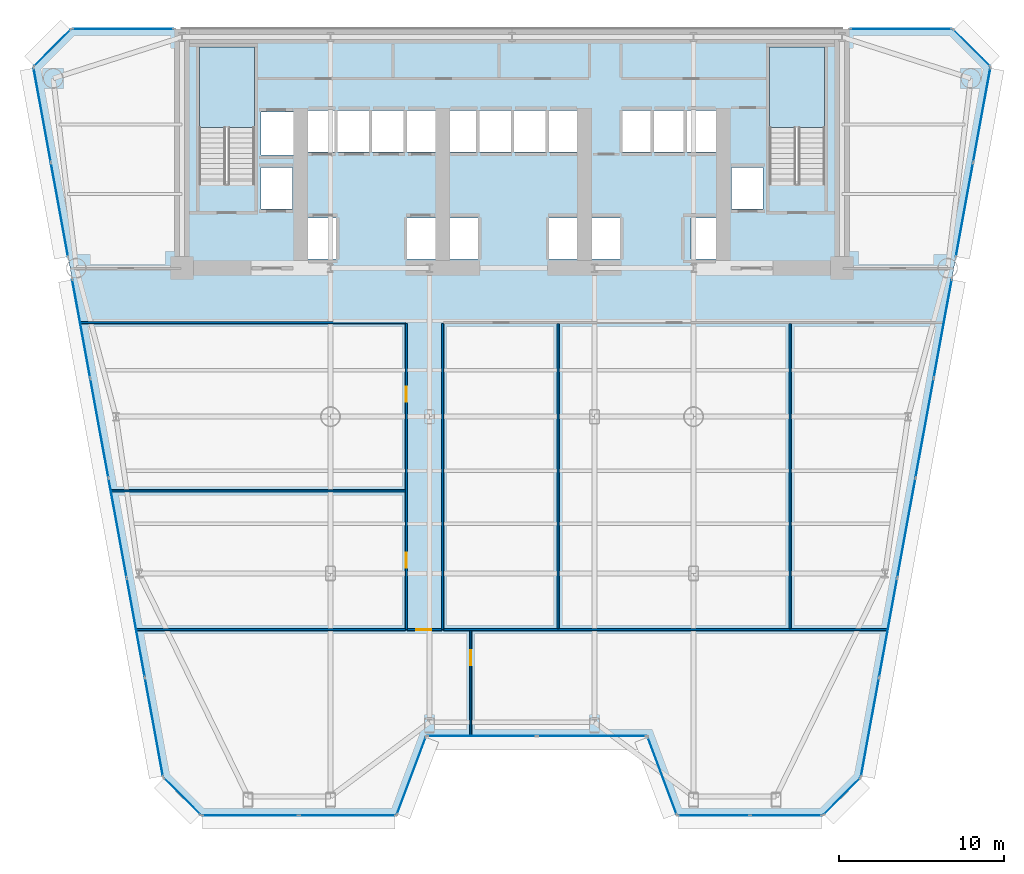
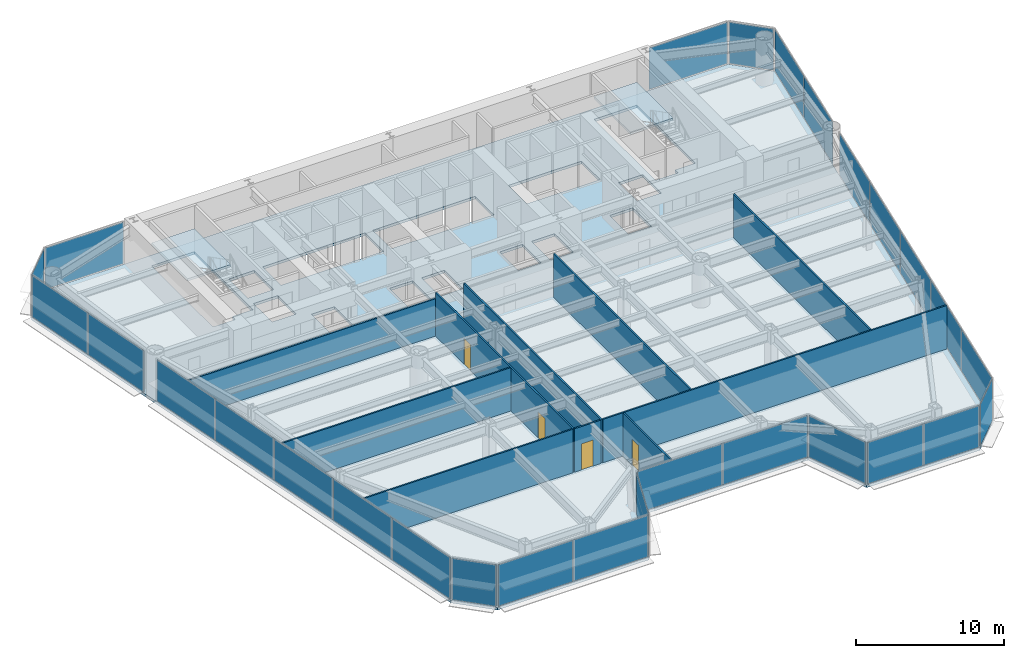
# One storey, part 7 of 14: 28 plates, 10 walls, 4 doors, 3 slabs, 4 openings, 17 elements without a shape of their own.
"""IFC4 building model written with IfcOpenShell, lengths in metres."""

import ifcopenshell
import ifcopenshell.guid

model = None  # the IFC model being written
_history = None  # IfcOwnerHistory: only IFC2X3 demands one
_inside = {}  # id of a spatial element -> (the spatial element, [elements in it])
_under = {}  # id of a project, library or spatial element -> (it, [spatial elements below it])
_declared = {}  # id of a project -> (the project, [libraries it declares])
_typed = {}  # id of a type object -> (the type object, [elements of that type])
_made_of = {}  # id of a material, layer set ... -> (it, [elements and type objects made of it])


def new_model(schema):
    """Start an empty IFC model of exactly this schema.

    Asked for "IFC4X3", IfcOpenShell would pick the latest addendum, in which some entities
    have other attributes; the version numbers below select the first issue.
    IFC2X3 requires an IfcOwnerHistory on every rooted entity: one is made here for all.
    """
    global model, _history
    if schema == "IFC4X3":
        model = ifcopenshell.file(schema_version=(4, 3, 0, 0))
    else:
        model = ifcopenshell.file(schema=schema)
    _inside.clear()
    _under.clear()
    _declared.clear()
    _typed.clear()
    _made_of.clear()
    _history = None
    if model.schema == "IFC2X3":
        org = make("IfcOrganization", Name="unknown")
        user = make(
            "IfcPersonAndOrganization",
            ThePerson=make("IfcPerson", FamilyName="unknown"),
            TheOrganization=org,
        )
        app = make(
            "IfcApplication",
            ApplicationDeveloper=org,
            Version="unknown",
            ApplicationFullName="unknown",
            ApplicationIdentifier="unknown",
        )
        _history = make(
            "IfcOwnerHistory",
            OwningUser=user,
            OwningApplication=app,
            ChangeAction="ADDED",
            CreationDate=0,
        )
    return model


def make(cls, **values):
    """One entity of the class cls with the attributes given. An attribute that is None is left unset."""
    return model.create_entity(
        cls, **{name: value for name, value in values.items() if value is not None}
    )


def rooted(cls, **values):
    """An entity with a GlobalId (a new one), such as an element, a storey or a relation."""
    return make(cls, GlobalId=ifcopenshell.guid.new(), OwnerHistory=_history, **values)


def si_unit(unit_type, name, prefix=None):
    """IfcSIUnit, for example si_unit("LENGTHUNIT", "METRE", prefix="MILLI")."""
    return make("IfcSIUnit", UnitType=unit_type, Prefix=prefix, Name=name)


def assignment(units):
    """IfcUnitAssignment: the units of a project."""
    return None if units is None else make("IfcUnitAssignment", Units=units)


def point(xyz):
    """IfcCartesianPoint."""
    return None if xyz is None else make("IfcCartesianPoint", Coordinates=xyz)


def direction(xyz):
    """IfcDirection."""
    return None if xyz is None else make("IfcDirection", DirectionRatios=xyz)


def frame(location, z_axis=None, x_axis=None):
    """IfcAxis2Placement3D, a coordinate frame: its origin and axes. An axis left out is left unset."""
    return make(
        "IfcAxis2Placement3D",
        Location=point(location),
        Axis=direction(z_axis),
        RefDirection=direction(x_axis),
    )


def frame_2d(location, x_axis=None):
    """IfcAxis2Placement2D, a coordinate frame in the plane: its origin and x axis."""
    return make(
        "IfcAxis2Placement2D", Location=point(location), RefDirection=direction(x_axis)
    )


def origin():
    """The frame at (0, 0, 0) with its axes left unset."""
    return frame((0.0, 0.0, 0.0))


def origin_2d():
    """The frame at (0, 0) in the plane with its x axis left unset."""
    return frame_2d((0.0, 0.0))


def place(relative_to, where):
    """IfcLocalPlacement: puts the frame where relative to a parent placement (None: the world)."""
    return make(
        "IfcLocalPlacement", PlacementRelTo=relative_to, RelativePlacement=where
    )


def context(
    kind, dimensions, precision=None, world=None, true_north=None, identifier=None
):
    """IfcGeometricRepresentationContext, for example the 3D "Model" context."""
    return make(
        "IfcGeometricRepresentationContext",
        ContextIdentifier=identifier,
        ContextType=kind,
        CoordinateSpaceDimension=dimensions,
        Precision=precision,
        WorldCoordinateSystem=world,
        TrueNorth=true_north,
    )


def subcontext(parent, identifier, kind, view, scale=None):
    """IfcGeometricRepresentationSubContext, for example "Body" below "Model"."""
    return make(
        "IfcGeometricRepresentationSubContext",
        ContextIdentifier=identifier,
        ContextType=kind,
        ParentContext=parent,
        TargetScale=scale,
        TargetView=view,
    )


def project(units=None, contexts=None):
    """IfcProject with its units and contexts."""
    return rooted(
        "IfcProject",
        Name="project",
        RepresentationContexts=contexts,
        UnitsInContext=assignment(units),
    )


def spatial(cls, under=None, at=None, **own):
    """A site, building, storey or space (cls), placed at a placement, below another one or the project."""
    s = rooted(cls, ObjectPlacement=at, **own)
    if under is not None:
        _under.setdefault(under.id(), (under, []))[1].append(s)
    return s


def polyline(points):
    """IfcPolyline through the points."""
    return make("IfcPolyline", Points=[point(p) for p in points])


def profile(cls, at=None, kind="AREA", **sizes):
    """A parametric profile (cls). Its sizes go by their IFC names, for example OverallWidth=200.0."""
    return make(cls, ProfileType=kind, Position=at, **sizes)


def rectangle(**sizes):
    """IfcRectangleProfileDef."""
    return profile("IfcRectangleProfileDef", **sizes)


def outline(outer, holes=None, kind="AREA"):
    """IfcArbitraryClosedProfileDef: a profile drawn as a closed curve; with holes, ...WithVoids."""
    if holes is None:
        return make("IfcArbitraryClosedProfileDef", ProfileType=kind, OuterCurve=outer)
    return make(
        "IfcArbitraryProfileDefWithVoids",
        ProfileType=kind,
        OuterCurve=outer,
        InnerCurves=holes,
    )


def extrude(swept, where, along, depth):
    """IfcExtrudedAreaSolid: the profile swept, set in the frame where, extruded along a direction by depth."""
    return make(
        "IfcExtrudedAreaSolid",
        SweptArea=swept,
        Position=where,
        ExtrudedDirection=direction(along),
        Depth=depth,
    )


def shape(context_of_items, identifier, shape_type, items):
    """IfcShapeRepresentation: the items that make up one representation, for example the "Body"."""
    return make(
        "IfcShapeRepresentation",
        ContextOfItems=context_of_items,
        RepresentationIdentifier=identifier,
        RepresentationType=shape_type,
        Items=items,
    )


def source(mapping_origin, context_of_items, identifier, shape_type, items):
    """IfcRepresentationMap: a shape defined once, which mapped items show again and again."""
    return make(
        "IfcRepresentationMap",
        MappingOrigin=mapping_origin,
        MappedRepresentation=shape(context_of_items, identifier, shape_type, items),
    )


def transform(
    local_origin,
    x_axis=None,
    y_axis=None,
    z_axis=None,
    scale=None,
    scale2=None,
    scale3=None,
    uniform=True,
):
    """IfcCartesianTransformationOperator3D, or its non-uniform kind. x_axis, y_axis, z_axis: its Axis1, 2, 3."""
    if uniform:
        return make(
            "IfcCartesianTransformationOperator3D",
            Axis1=direction(x_axis),
            Axis2=direction(y_axis),
            LocalOrigin=point(local_origin),
            Scale=scale,
            Axis3=direction(z_axis),
        )
    return make(
        "IfcCartesianTransformationOperator3DnonUniform",
        Axis1=direction(x_axis),
        Axis2=direction(y_axis),
        LocalOrigin=point(local_origin),
        Scale=scale,
        Axis3=direction(z_axis),
        Scale2=scale2,
        Scale3=scale3,
    )


def mapped(mapping_source, mapping_target):
    """IfcMappedItem: shows the shape of a source again, moved by a transform."""
    return make(
        "IfcMappedItem", MappingSource=mapping_source, MappingTarget=mapping_target
    )


def material(Name=None, Category=None):
    """IfcMaterial."""
    return make("IfcMaterial", Name=Name, Category=Category)


def layer(
    of_material, thickness, ventilated=None, Name=None, Category=None, Priority=None
):
    """IfcMaterialLayer: one layer of a wall or slab, of a material (None: an air gap)."""
    return make(
        "IfcMaterialLayer",
        Material=of_material,
        LayerThickness=thickness,
        IsVentilated=ventilated,
        Name=Name,
        Category=Category,
        Priority=Priority,
    )


def layer_set(layers, Name=None):
    """IfcMaterialLayerSet."""
    return make("IfcMaterialLayerSet", MaterialLayers=layers, LayerSetName=Name)


def made_of(thing, what):
    """Note that an element or type object is made of a material, layer set ...; save() writes the relation."""
    if what is not None:
        _made_of.setdefault(what.id(), (what, []))[1].append(thing)
    return thing


def type_object(cls, material=None, **own):
    """A type object (cls), such as IfcWallType, which elements share."""
    return made_of(rooted(cls, **own), material)


def element(
    cls,
    number,
    at=None,
    inside=None,
    cuts=None,
    type_object=None,
    material=None,
    context=None,
    identifier="Body",
    shape_type=None,
    held_by="IfcProductDefinitionShape",
    body=None,
    shapes=None,
    **own,
):
    """One element of the class cls, such as IfcWall. Its Tag is "e" and its number.

    at: its placement. inside: the storey or other place that contains it. cuts: it is an
    opening in that element (IfcRelVoidsElement). A single representation is given by context,
    identifier, shape_type and body (its items); several are given by shapes. held_by: the class
    of the entity that holds the representations. save() writes the other relations.
    """
    e = rooted(cls, Tag="e%d" % number, ObjectPlacement=at, **own)
    if body is not None:
        shapes = [shape(context, identifier, shape_type, body)]
    if shapes is not None:
        e.Representation = make(held_by, Representations=shapes)
    if inside is not None:
        _inside.setdefault(inside.id(), (inside, []))[1].append(e)
    if cuts is not None:
        rooted(
            "IfcRelVoidsElement", RelatingBuildingElement=cuts, RelatedOpeningElement=e
        )
    if type_object is not None:
        _typed.setdefault(type_object.id(), (type_object, []))[1].append(e)
    return made_of(e, material)


def fill(opening, filler):
    """IfcRelFillsElement: the door or window that sits in an opening."""
    return rooted(
        "IfcRelFillsElement",
        RelatingOpeningElement=opening,
        RelatedBuildingElement=filler,
    )


def aggregate(whole, parts):
    """IfcRelAggregates: a whole, such as a stair, and the parts it consists of."""
    return rooted("IfcRelAggregates", RelatingObject=whole, RelatedObjects=parts)


def save(model, path):
    """Write the relations noted so far, then the file.

    IfcRelAggregates (storeys below a building ...), IfcRelContainedInSpatialStructure (elements
    in a storey), IfcRelDefinesByType, IfcRelAssociatesMaterial and IfcRelDeclares: one each for
    every whole, place, type object, material and project.
    """
    for whole, parts in _under.values():
        aggregate(whole, parts)
    for where, things in _inside.values():
        rooted(
            "IfcRelContainedInSpatialStructure",
            RelatedElements=things,
            RelatingStructure=where,
        )
    for kind, things in _typed.values():
        rooted("IfcRelDefinesByType", RelatedObjects=things, RelatingType=kind)
    for what, things in _made_of.values():
        rooted("IfcRelAssociatesMaterial", RelatedObjects=things, RelatingMaterial=what)
    for by, libraries in _declared.values():
        rooted("IfcRelDeclares", RelatingContext=by, RelatedDefinitions=libraries)
    model.write(path)


model = new_model("IFC4")

# Units and contexts
model_context = context("Model", 3, precision=1e-05, world=origin(), true_north=direction((0.0, 1.0)))
body_context = subcontext(model_context, "Body", "Model", "MODEL_VIEW")
ifc_project = project(units=[si_unit("LENGTHUNIT", "METRE"), si_unit("AREAUNIT", "SQUARE_METRE"), si_unit("VOLUMEUNIT", "CUBIC_METRE"), si_unit("PLANEANGLEUNIT", "RADIAN"), si_unit("MASSUNIT", "GRAM", prefix="KILO")], contexts=[model_context])

# Site, building, storey
site_placement = place(None, origin())
site = spatial("IfcSite", under=ifc_project, at=site_placement, CompositionType="ELEMENT")
building_placement = place(site_placement, origin())
building = spatial("IfcBuilding", under=site, at=building_placement, Name="Vaeldorn Concourse Tower", CompositionType="ELEMENT")
storey_placement = place(building_placement, frame((0.0, 0.0, 72.0)))
storey = spatial("IfcBuildingStorey", under=building, at=storey_placement, Name="L18", CompositionType="ELEMENT", Elevation=72.0)

# Stair, slab
ifc_material_1 = material(Name="Precast concrete C40/50", Category="concrete")
stair_type = type_object("IfcStairType", Name="STR-DOG-24x158", PredefinedType="HALF_TURN_STAIR", material=ifc_material_1)
stair_1_placement = place(storey_placement, origin())
stair_1 = element("IfcStair", 1, at=stair_1_placement, inside=storey, type_object=stair_type, Name="L18 West Core Exit Stair ST-1", PredefinedType="HALF_TURN_STAIR")
ifc_material_2 = material(Name="Concrete C40/50", Category="concrete")
ifc_layer_1 = layer(ifc_material_2, 0.199951171875)
ifc_layer_set_1 = layer_set([ifc_layer_1], Name="Concrete C40/50")
slab_type_1 = type_object("IfcSlabType", Name="SL-STAIR-LANDING", PredefinedType="LANDING", material=ifc_layer_set_1)
slab_1_placement = place(storey_placement, frame((0.0, 0.0, 1.699951171875)))
slab_1 = element("IfcSlab", 2, at=slab_1_placement, type_object=slab_type_1, Name="ST-1 landing 1", PredefinedType="LANDING", context=body_context, shape_type="SweptSolid", body=[
    extrude(outline(polyline([(18.39990234375, 45.010009765625), (18.39990234375, 49.89990234375), (15.050048828125, 49.89990234375), (15.050048828125, 45.010009765625), (18.39990234375, 45.010009765625)])), origin(), (0.0, 0.0, 1.0), 0.199951171875),
])
aggregate(stair_1, [slab_1])

stair_2_placement = place(storey_placement, origin())
stair_2 = element("IfcStair", 3, at=stair_2_placement, inside=storey, type_object=stair_type, Name="L18 East Core Exit Stair ST-2", PredefinedType="HALF_TURN_STAIR")
slab_2_placement = place(storey_placement, frame((0.0, 0.0, 1.699951171875)))
slab_2 = element("IfcSlab", 4, at=slab_2_placement, type_object=slab_type_1, Name="ST-2 landing 1", PredefinedType="LANDING", context=body_context, shape_type="SweptSolid", body=[
    extrude(outline(polyline([(52.949951171875, 45.010009765625), (52.949951171875, 49.89990234375), (49.60009765625, 49.89990234375), (49.60009765625, 45.010009765625), (52.949951171875, 45.010009765625)])), origin(), (0.0, 0.0, 1.0), 0.199951171875),
])
aggregate(stair_2, [slab_2])

# Slab
ifc_layer_2 = layer(ifc_material_2, 0.219970703125)
ifc_layer_set_2 = layer_set([ifc_layer_2], Name="Concrete C40/50")
slab_type_2 = type_object("IfcSlabType", Name="SL-TYP-220", PredefinedType="FLOOR", material=ifc_layer_set_2)
slab_3_placement = place(storey_placement, frame((0.0, 0.0, -0.219970703125)))
element("IfcSlab", 5, at=slab_3_placement, inside=storey, type_object=slab_type_2, Name="Structural Floor Slab L18", PredefinedType="FLOOR", context=body_context, shape_type="SweptSolid", body=[
    extrude(outline(polyline([(15.16259765625, 3.34716796875), (27.0, 3.34716796875), (28.800048828125, 8.147216796875), (42.199951171875, 8.147216796875), (44.0, 3.34716796875), (52.83740234375, 3.34716796875), (55.13720703125, 5.647216796875), (63.0, 48.699951171875), (60.699951171875, 51.0), (7.300048828125, 51.0), (5.0, 48.699951171875), (12.86279296875, 5.647216796875), (15.16259765625, 3.34716796875)]), holes=[polyline([(18.39990234375, 42.0), (18.39990234375, 49.89990234375), (15.050048828125, 49.89990234375), (15.050048828125, 41.60009765625), (16.800048828125, 41.60009765625), (16.800048828125, 42.0), (18.39990234375, 42.0)]), polyline([(52.949951171875, 42.0), (52.949951171875, 49.89990234375), (49.60009765625, 49.89990234375), (49.60009765625, 41.60009765625), (51.35009765625, 41.60009765625), (51.35009765625, 42.0), (52.949951171875, 42.0)]), polyline([(21.550048828125, 37.050048828125), (23.35009765625, 37.050048828125), (23.35009765625, 39.550048828125), (21.550048828125, 39.550048828125), (21.550048828125, 37.050048828125)]), polyline([(27.64990234375, 37.050048828125), (29.449951171875, 37.050048828125), (29.449951171875, 39.550048828125), (27.64990234375, 39.550048828125), (27.64990234375, 37.050048828125)]), polyline([(21.5, 43.550048828125), (29.5, 43.550048828125), (29.5, 46.050048828125), (21.5, 46.050048828125), (21.5, 43.550048828125)]), polyline([(30.14990234375, 37.050048828125), (31.949951171875, 37.050048828125), (31.949951171875, 39.550048828125), (30.14990234375, 39.550048828125), (30.14990234375, 37.050048828125)]), polyline([(36.25, 37.050048828125), (38.050048828125, 37.050048828125), (38.050048828125, 39.550048828125), (36.25, 39.550048828125), (36.25, 37.050048828125)]), polyline([(30.10009765625, 43.550048828125), (38.10009765625, 43.550048828125), (38.10009765625, 46.050048828125), (30.10009765625, 46.050048828125), (30.10009765625, 43.550048828125)]), polyline([(38.75, 37.050048828125), (40.550048828125, 37.050048828125), (40.550048828125, 39.550048828125), (38.75, 39.550048828125), (38.75, 37.050048828125)]), polyline([(44.85009765625, 37.050048828125), (46.64990234375, 37.050048828125), (46.64990234375, 39.550048828125), (44.85009765625, 39.550048828125), (44.85009765625, 37.050048828125)]), polyline([(40.699951171875, 43.550048828125), (46.39990234375, 43.550048828125), (46.39990234375, 46.050048828125), (40.699951171875, 46.050048828125), (40.699951171875, 43.550048828125)]), polyline([(18.800048828125, 43.35009765625), (20.800048828125, 43.35009765625), (20.800048828125, 45.949951171875), (18.800048828125, 45.949951171875), (18.800048828125, 43.35009765625)]), polyline([(18.800048828125, 40.10009765625), (20.699951171875, 40.10009765625), (20.699951171875, 42.60009765625), (18.800048828125, 42.60009765625), (18.800048828125, 40.10009765625)]), polyline([(47.300048828125, 40.10009765625), (49.199951171875, 40.10009765625), (49.199951171875, 42.60009765625), (47.300048828125, 42.60009765625), (47.300048828125, 40.10009765625)])]), origin(), (0.0, 0.0, 1.0), 0.219970703125),
])

# Curtain wall, plate
ifc_material_3 = material(Name="Anodised Bronze Aluminium", Category="aluminium")
ifc_layer_3 = layer(ifc_material_3, 0.219970703125)
ifc_layer_set_3 = layer_set([ifc_layer_3], Name="Anodised Bronze Aluminium")
curtain_wall_type = type_object("IfcCurtainWallType", Name="CW-SYS-01", PredefinedType="NOTDEFINED", material=ifc_layer_set_3)
curtain_wall_1_placement = place(storey_placement, origin())
curtain_wall_1 = element("IfcCurtainWall", 6, at=curtain_wall_1_placement, inside=storey, type_object=curtain_wall_type, Name="Unitised Curtain Wall CW-L18-E02-1", PredefinedType="NOTDEFINED")
ifc_material_4 = material(Name="Bronze Tinted Low-E Insulated Glass", Category="glass")
ifc_layer_4 = layer(ifc_material_4, 0.031982421875)
ifc_layer_set_4 = layer_set([ifc_layer_4], Name="Bronze Tinted Low-E Insulated Glass")
plate_type = type_object("IfcPlateType", Name="CWP-VISION-32", PredefinedType="CURTAIN_PANEL", material=ifc_layer_set_4)
shared_shape_1 = source(origin(), body_context, "Body", "SweptSolid", [
    extrude(rectangle(XDim=4.976318359375, YDim=0.031982421875, at=origin_2d()), origin(), (0.0, 0.0, 1.0), 3.429931640625),
])
plate_1_placement = place(storey_placement, frame((27.89990234375, 5.7470703125, 0.0751953125), z_axis=(0.0, 0.0, 1.0), x_axis=(0.351123441595, 0.936329177566, 0.0)))
plate_1 = element("IfcPlate", 7, at=plate_1_placement, type_object=plate_type, Name="CW-01 panel 1.1", PredefinedType="CURTAIN_PANEL", context=body_context, shape_type="MappedRepresentation", body=[
    mapped(shared_shape_1, transform((0.0, 0.0, 0.0), scale=1.0)),
])
aggregate(curtain_wall_1, [plate_1])

curtain_wall_2_placement = place(storey_placement, origin())
curtain_wall_2 = element("IfcCurtainWall", 8, at=curtain_wall_2_placement, inside=storey, type_object=curtain_wall_type, Name="Unitised Curtain Wall CW-L18-E04-1", PredefinedType="NOTDEFINED")
plate_2_placement = place(storey_placement, frame((43.10009765625, 5.7470703125, 0.0751953125), z_axis=(0.0, 0.0, 1.0), x_axis=(0.351123441595, -0.936329177566, 0.0)))
plate_2 = element("IfcPlate", 9, at=plate_2_placement, type_object=plate_type, Name="CW-01 panel 1.1", PredefinedType="CURTAIN_PANEL", context=body_context, shape_type="MappedRepresentation", body=[
    mapped(shared_shape_1, transform((0.0, 0.0, 0.0), scale=1.0)),
])
aggregate(curtain_wall_2, [plate_2])

# Curtain wall, plates
curtain_wall_3_placement = place(storey_placement, origin())
curtain_wall_3 = element("IfcCurtainWall", 10, at=curtain_wall_3_placement, inside=storey, type_object=curtain_wall_type, Name="Unitised Curtain Wall CW-L18-E03-1", PredefinedType="NOTDEFINED")
shared_shape_2 = source(origin(), body_context, "Body", "SweptSolid", [
    extrude(rectangle(XDim=6.58740234375, YDim=0.031982421875, at=origin_2d()), origin(), (0.0, 0.0, 1.0), 3.429931640625),
])
plate_3_placement = place(storey_placement, frame((32.168701171875, 8.147216796875, 0.0751953125), z_axis=(0.0, 0.0, 1.0), x_axis=(1.0, 0.0, 0.0)))
plate_3 = element("IfcPlate", 11, at=plate_3_placement, type_object=plate_type, Name="CW-01 panel 1.1", PredefinedType="CURTAIN_PANEL", context=body_context, shape_type="MappedRepresentation", body=[
    mapped(shared_shape_2, transform((0.0, 0.0, 0.0), scale=1.0)),
])
plate_4_placement = place(storey_placement, frame((38.831298828125, 8.147216796875, 0.0751953125), z_axis=(0.0, 0.0, 1.0), x_axis=(1.0, 0.0, 0.0)))
plate_4 = element("IfcPlate", 12, at=plate_4_placement, type_object=plate_type, Name="CW-01 panel 2.1", PredefinedType="CURTAIN_PANEL", context=body_context, shape_type="MappedRepresentation", body=[
    mapped(shared_shape_2, transform((0.0, 0.0, 0.0), scale=1.0)),
])
aggregate(curtain_wall_3, [plate_3, plate_4])

# Curtain wall, plate
curtain_wall_4_placement = place(storey_placement, origin())
curtain_wall_4 = element("IfcCurtainWall", 13, at=curtain_wall_4_placement, inside=storey, type_object=curtain_wall_type, Name="Unitised Curtain Wall CW-L18-E06-1", PredefinedType="NOTDEFINED")
shared_shape_3 = source(origin(), body_context, "Body", "SweptSolid", [
    extrude(rectangle(XDim=3.102783203125, YDim=0.031982421875, at=origin_2d()), origin(), (0.0, 0.0, 1.0), 3.429931640625),
])
plate_5_placement = place(storey_placement, frame((53.9873046875, 4.4970703125, 0.0751953125), z_axis=(0.0, 0.0, 1.0), x_axis=(0.707106781187, 0.707106781187, 0.0)))
plate_5 = element("IfcPlate", 14, at=plate_5_placement, type_object=plate_type, Name="CW-01 panel 1.1", PredefinedType="CURTAIN_PANEL", context=body_context, shape_type="MappedRepresentation", body=[
    mapped(shared_shape_3, transform((0.0, 0.0, 0.0), scale=1.0)),
])
aggregate(curtain_wall_4, [plate_5])

curtain_wall_5_placement = place(storey_placement, origin())
curtain_wall_5 = element("IfcCurtainWall", 15, at=curtain_wall_5_placement, inside=storey, type_object=curtain_wall_type, Name="Unitised Curtain Wall CW-L18-E08-1", PredefinedType="NOTDEFINED")
plate_6_placement = place(storey_placement, frame((61.85009765625, 49.85009765625, 0.0751953125), z_axis=(0.0, 0.0, 1.0), x_axis=(-0.707106781187, 0.707106781187, 0.0)))
plate_6 = element("IfcPlate", 16, at=plate_6_placement, type_object=plate_type, Name="CW-01 panel 1.1", PredefinedType="CURTAIN_PANEL", context=body_context, shape_type="MappedRepresentation", body=[
    mapped(shared_shape_3, transform((0.0, 0.0, 0.0), scale=1.0)),
])
aggregate(curtain_wall_5, [plate_6])

curtain_wall_6_placement = place(storey_placement, origin())
curtain_wall_6 = element("IfcCurtainWall", 17, at=curtain_wall_6_placement, inside=storey, type_object=curtain_wall_type, Name="Unitised Curtain Wall CW-L18-E10-1", PredefinedType="NOTDEFINED")
plate_7_placement = place(storey_placement, frame((6.14990234375, 49.85009765625, 0.0751953125), z_axis=(0.0, 0.0, 1.0), x_axis=(-0.707106781187, -0.707106781187, 0.0)))
plate_7 = element("IfcPlate", 18, at=plate_7_placement, type_object=plate_type, Name="CW-01 panel 1.1", PredefinedType="CURTAIN_PANEL", context=body_context, shape_type="MappedRepresentation", body=[
    mapped(shared_shape_3, transform((0.0, 0.0, 0.0), scale=1.0)),
])
aggregate(curtain_wall_6, [plate_7])

curtain_wall_7_placement = place(storey_placement, origin())
curtain_wall_7 = element("IfcCurtainWall", 19, at=curtain_wall_7_placement, inside=storey, type_object=curtain_wall_type, Name="Unitised Curtain Wall CW-L18-E12-1", PredefinedType="NOTDEFINED")
plate_8_placement = place(storey_placement, frame((14.0126953125, 4.4970703125, 0.0751953125), z_axis=(0.0, 0.0, 1.0), x_axis=(0.707106781187, -0.707106781187, 0.0)))
plate_8 = element("IfcPlate", 20, at=plate_8_placement, type_object=plate_type, Name="CW-01 panel 1.1", PredefinedType="CURTAIN_PANEL", context=body_context, shape_type="MappedRepresentation", body=[
    mapped(shared_shape_3, transform((0.0, 0.0, 0.0), scale=1.0)),
])
aggregate(curtain_wall_7, [plate_8])

curtain_wall_8_placement = place(storey_placement, origin())
curtain_wall_8 = element("IfcCurtainWall", 21, at=curtain_wall_8_placement, inside=storey, type_object=curtain_wall_type, Name="Unitised Curtain Wall CW-L18-E09-1", PredefinedType="NOTDEFINED")
shared_shape_4 = source(origin(), body_context, "Body", "SweptSolid", [
    extrude(rectangle(XDim=6.10498046875, YDim=0.031982421875, at=origin_2d()), origin(), (0.0, 0.0, 1.0), 3.429931640625),
])
plate_9_placement = place(storey_placement, frame((57.572509765625, 51.0, 0.0751953125), z_axis=(0.0, 0.0, 1.0), x_axis=(-1.0, 0.0, 0.0)))
plate_9 = element("IfcPlate", 22, at=plate_9_placement, type_object=plate_type, Name="CW-01 panel 1.1", PredefinedType="CURTAIN_PANEL", context=body_context, shape_type="MappedRepresentation", body=[
    mapped(shared_shape_4, transform((0.0, 0.0, 0.0), scale=1.0)),
])
aggregate(curtain_wall_8, [plate_9])

curtain_wall_9_placement = place(storey_placement, origin())
curtain_wall_9 = element("IfcCurtainWall", 23, at=curtain_wall_9_placement, inside=storey, type_object=curtain_wall_type, Name="Unitised Curtain Wall CW-L18-E09-2", PredefinedType="NOTDEFINED")
plate_10_placement = place(storey_placement, frame((10.427490234375, 51.0, 0.0751953125), z_axis=(0.0, 0.0, 1.0), x_axis=(-1.0, 0.0, 0.0)))
plate_10 = element("IfcPlate", 24, at=plate_10_placement, type_object=plate_type, Name="CW-01 panel 1.1", PredefinedType="CURTAIN_PANEL", context=body_context, shape_type="MappedRepresentation", body=[
    mapped(shared_shape_4, transform((0.0, 0.0, 0.0), scale=1.0)),
])
aggregate(curtain_wall_9, [plate_10])

# Curtain wall, plates
curtain_wall_10_placement = place(storey_placement, origin())
curtain_wall_10 = element("IfcCurtainWall", 25, at=curtain_wall_10_placement, inside=storey, type_object=curtain_wall_type, Name="Unitised Curtain Wall CW-L18-E07-2", PredefinedType="NOTDEFINED")
shared_shape_5 = source(origin(), body_context, "Body", "SweptSolid", [
    extrude(rectangle(XDim=5.7734375, YDim=0.031982421875, at=origin_2d()), origin(), (0.0, 0.0, 1.0), 3.429931640625),
])
plate_11_placement = place(storey_placement, frame((61.417236328125, 40.032958984375, 0.0751953125), z_axis=(0.0, 0.0, 1.0), x_axis=(0.179654596399, 0.98372975252, 0.0)))
plate_11 = element("IfcPlate", 26, at=plate_11_placement, type_object=plate_type, Name="CW-01 panel 1.1", PredefinedType="CURTAIN_PANEL", context=body_context, shape_type="MappedRepresentation", body=[
    mapped(shared_shape_5, transform((0.0, 0.0, 0.0), scale=1.0)),
])
plate_12_placement = place(storey_placement, frame((62.468017578125, 45.786376953125, 0.0751953125), z_axis=(0.0, 0.0, 1.0), x_axis=(0.179654596399, 0.98372975252, 0.0)))
plate_12 = element("IfcPlate", 27, at=plate_12_placement, type_object=plate_type, Name="CW-01 panel 2.1", PredefinedType="CURTAIN_PANEL", context=body_context, shape_type="MappedRepresentation", body=[
    mapped(shared_shape_5, transform((0.0, 0.0, 0.0), scale=1.0)),
])
aggregate(curtain_wall_10, [plate_11, plate_12])

curtain_wall_11_placement = place(storey_placement, origin())
curtain_wall_11 = element("IfcCurtainWall", 28, at=curtain_wall_11_placement, inside=storey, type_object=curtain_wall_type, Name="Unitised Curtain Wall CW-L18-E11-1", PredefinedType="NOTDEFINED")
plate_13_placement = place(storey_placement, frame((5.531982421875, 45.786376953125, 0.0751953125), z_axis=(0.0, 0.0, 1.0), x_axis=(0.179654596399, -0.98372975252, 0.0)))
plate_13 = element("IfcPlate", 29, at=plate_13_placement, type_object=plate_type, Name="CW-01 panel 1.1", PredefinedType="CURTAIN_PANEL", context=body_context, shape_type="MappedRepresentation", body=[
    mapped(shared_shape_5, transform((0.0, 0.0, 0.0), scale=1.0)),
])
plate_14_placement = place(storey_placement, frame((6.582763671875, 40.032958984375, 0.0751953125), z_axis=(0.0, 0.0, 1.0), x_axis=(0.179654596399, -0.98372975252, 0.0)))
plate_14 = element("IfcPlate", 30, at=plate_14_placement, type_object=plate_type, Name="CW-01 panel 2.1", PredefinedType="CURTAIN_PANEL", context=body_context, shape_type="MappedRepresentation", body=[
    mapped(shared_shape_5, transform((0.0, 0.0, 0.0), scale=1.0)),
])
aggregate(curtain_wall_11, [plate_13, plate_14])

curtain_wall_12_placement = place(storey_placement, origin())
curtain_wall_12 = element("IfcCurtainWall", 31, at=curtain_wall_12_placement, inside=storey, type_object=curtain_wall_type, Name="Unitised Curtain Wall CW-L18-E01-1", PredefinedType="NOTDEFINED")
shared_shape_6 = source(origin(), body_context, "Body", "SweptSolid", [
    extrude(rectangle(XDim=5.80615234375, YDim=0.031982421875, at=origin_2d()), origin(), (0.0, 0.0, 1.0), 3.429931640625),
])
plate_15_placement = place(storey_placement, frame((18.140869140625, 3.34716796875, 0.0751953125), z_axis=(0.0, 0.0, 1.0), x_axis=(1.0, 0.0, 0.0)))
plate_15 = element("IfcPlate", 32, at=plate_15_placement, type_object=plate_type, Name="CW-01 panel 1.1", PredefinedType="CURTAIN_PANEL", context=body_context, shape_type="MappedRepresentation", body=[
    mapped(shared_shape_6, transform((0.0, 0.0, 0.0), scale=1.0)),
])
plate_16_placement = place(storey_placement, frame((24.02197265625, 3.34716796875, 0.0751953125), z_axis=(0.0, 0.0, 1.0), x_axis=(1.0, 0.0, 0.0)))
plate_16 = element("IfcPlate", 33, at=plate_16_placement, type_object=plate_type, Name="CW-01 panel 2.1", PredefinedType="CURTAIN_PANEL", context=body_context, shape_type="MappedRepresentation", body=[
    mapped(shared_shape_6, transform((0.0, 0.0, 0.0), scale=1.0)),
])
aggregate(curtain_wall_12, [plate_15, plate_16])

curtain_wall_13_placement = place(storey_placement, origin())
curtain_wall_13 = element("IfcCurtainWall", 34, at=curtain_wall_13_placement, inside=storey, type_object=curtain_wall_type, Name="Unitised Curtain Wall CW-L18-E05-1", PredefinedType="NOTDEFINED")
shared_shape_7 = source(origin(), body_context, "Body", "SweptSolid", [
    extrude(rectangle(XDim=4.30615234375, YDim=0.031982421875, at=origin_2d()), origin(), (0.0, 0.0, 1.0), 3.429931640625),
])
plate_17_placement = place(storey_placement, frame((46.22802734375, 3.34716796875, 0.0751953125), z_axis=(0.0, 0.0, 1.0), x_axis=(1.0, 0.0, 0.0)))
plate_17 = element("IfcPlate", 35, at=plate_17_placement, type_object=plate_type, Name="CW-01 panel 1.1", PredefinedType="CURTAIN_PANEL", context=body_context, shape_type="MappedRepresentation", body=[
    mapped(shared_shape_7, transform((0.0, 0.0, 0.0), scale=1.0)),
])
plate_18_placement = place(storey_placement, frame((50.609130859375, 3.34716796875, 0.0751953125), z_axis=(0.0, 0.0, 1.0), x_axis=(1.0, 0.0, 0.0)))
plate_18 = element("IfcPlate", 36, at=plate_18_placement, type_object=plate_type, Name="CW-01 panel 2.1", PredefinedType="CURTAIN_PANEL", context=body_context, shape_type="MappedRepresentation", body=[
    mapped(shared_shape_7, transform((0.0, 0.0, 0.0), scale=1.0)),
])
aggregate(curtain_wall_13, [plate_17, plate_18])

curtain_wall_14_placement = place(storey_placement, origin())
curtain_wall_14 = element("IfcCurtainWall", 37, at=curtain_wall_14_placement, inside=storey, type_object=curtain_wall_type, Name="Unitised Curtain Wall CW-L18-E07-1", PredefinedType="NOTDEFINED")
shared_shape_8 = source(origin(), body_context, "Body", "SweptSolid", [
    extrude(rectangle(XDim=6.0341796875, YDim=0.031982421875, at=origin_2d()), origin(), (0.0, 0.0, 1.0), 3.429931640625),
])
plate_19_placement = place(storey_placement, frame((55.69287109375, 8.68896484375, 0.0751953125), z_axis=(0.0, 0.0, 1.0), x_axis=(0.179657622921, 0.983729199794, 0.0)))
plate_19 = element("IfcPlate", 38, at=plate_19_placement, type_object=plate_type, Name="CW-01 panel 1.1", PredefinedType="CURTAIN_PANEL", context=body_context, shape_type="MappedRepresentation", body=[
    mapped(shared_shape_8, transform((0.0, 0.0, 0.0), scale=1.0)),
])
plate_20_placement = place(storey_placement, frame((60.103271484375, 32.838623046875, 0.0751953125), z_axis=(0.0, 0.0, 1.0), x_axis=(0.179657622921, 0.983729199794, 0.0)))
plate_20 = element("IfcPlate", 39, at=plate_20_placement, type_object=plate_type, Name="CW-01 panel 5.1", PredefinedType="CURTAIN_PANEL", context=body_context, shape_type="MappedRepresentation", body=[
    mapped(shared_shape_8, transform((0.0, 0.0, 0.0), scale=1.0)),
])

curtain_wall_15_placement = place(storey_placement, origin())
curtain_wall_15 = element("IfcCurtainWall", 40, at=curtain_wall_15_placement, inside=storey, type_object=curtain_wall_type, Name="Unitised Curtain Wall CW-L18-E11-2", PredefinedType="NOTDEFINED")
plate_21_placement = place(storey_placement, frame((7.896728515625, 32.838623046875, 0.0751953125), z_axis=(0.0, 0.0, 1.0), x_axis=(0.179657622921, -0.983729199794, 0.0)))
plate_21 = element("IfcPlate", 41, at=plate_21_placement, type_object=plate_type, Name="CW-01 panel 1.1", PredefinedType="CURTAIN_PANEL", context=body_context, shape_type="MappedRepresentation", body=[
    mapped(shared_shape_8, transform((0.0, 0.0, 0.0), scale=1.0)),
])
plate_22_placement = place(storey_placement, frame((12.30712890625, 8.68896484375, 0.0751953125), z_axis=(0.0, 0.0, 1.0), x_axis=(0.179657622921, -0.983729199794, 0.0)))
plate_22 = element("IfcPlate", 42, at=plate_22_placement, type_object=plate_type, Name="CW-01 panel 5.1", PredefinedType="CURTAIN_PANEL", context=body_context, shape_type="MappedRepresentation", body=[
    mapped(shared_shape_8, transform((0.0, 0.0, 0.0), scale=1.0)),
])

# Plate
shared_shape_9 = source(origin(), body_context, "Body", "SweptSolid", [
    extrude(rectangle(XDim=6.07177734375, YDim=0.031982421875, at=origin_2d()), origin(), (0.0, 0.0, 1.0), 3.429931640625),
])
plate_23_placement = place(storey_placement, frame((56.793701171875, 14.717041015625, 0.0751953125), z_axis=(0.0, 0.0, 1.0), x_axis=(0.179657622921, 0.983729199794, 0.0)))
plate_23 = element("IfcPlate", 43, at=plate_23_placement, type_object=plate_type, Name="CW-01 panel 2.1", PredefinedType="CURTAIN_PANEL", context=body_context, shape_type="MappedRepresentation", body=[
    mapped(shared_shape_9, transform((0.0, 0.0, 0.0), scale=1.0)),
])

plate_24_placement = place(storey_placement, frame((57.89794921875, 20.763916015625, 0.0751953125), z_axis=(0.0, 0.0, 1.0), x_axis=(0.179657622921, 0.983729199794, 0.0)))
plate_24 = element("IfcPlate", 44, at=plate_24_placement, type_object=plate_type, Name="CW-01 panel 3.1", PredefinedType="CURTAIN_PANEL", context=body_context, shape_type="MappedRepresentation", body=[
    mapped(shared_shape_9, transform((0.0, 0.0, 0.0), scale=1.0)),
])

plate_25_placement = place(storey_placement, frame((59.00244140625, 26.810546875, 0.0751953125), z_axis=(0.0, 0.0, 1.0), x_axis=(0.179657622921, 0.983729199794, 0.0)))
plate_25 = element("IfcPlate", 45, at=plate_25_placement, type_object=plate_type, Name="CW-01 panel 4.1", PredefinedType="CURTAIN_PANEL", context=body_context, shape_type="MappedRepresentation", body=[
    mapped(shared_shape_9, transform((0.0, 0.0, 0.0), scale=1.0)),
])

aggregate(curtain_wall_14, [plate_19, plate_23, plate_24, plate_25, plate_20])

plate_26_placement = place(storey_placement, frame((8.99755859375, 26.810546875, 0.0751953125), z_axis=(0.0, 0.0, 1.0), x_axis=(0.179657622921, -0.983729199794, 0.0)))
plate_26 = element("IfcPlate", 46, at=plate_26_placement, type_object=plate_type, Name="CW-01 panel 2.1", PredefinedType="CURTAIN_PANEL", context=body_context, shape_type="MappedRepresentation", body=[
    mapped(shared_shape_9, transform((0.0, 0.0, 0.0), scale=1.0)),
])

plate_27_placement = place(storey_placement, frame((10.10205078125, 20.763916015625, 0.0751953125), z_axis=(0.0, 0.0, 1.0), x_axis=(0.179657622921, -0.983729199794, 0.0)))
plate_27 = element("IfcPlate", 47, at=plate_27_placement, type_object=plate_type, Name="CW-01 panel 3.1", PredefinedType="CURTAIN_PANEL", context=body_context, shape_type="MappedRepresentation", body=[
    mapped(shared_shape_9, transform((0.0, 0.0, 0.0), scale=1.0)),
])

plate_28_placement = place(storey_placement, frame((11.206298828125, 14.717041015625, 0.0751953125), z_axis=(0.0, 0.0, 1.0), x_axis=(0.179657622921, -0.983729199794, 0.0)))
plate_28 = element("IfcPlate", 48, at=plate_28_placement, type_object=plate_type, Name="CW-01 panel 4.1", PredefinedType="CURTAIN_PANEL", context=body_context, shape_type="MappedRepresentation", body=[
    mapped(shared_shape_9, transform((0.0, 0.0, 0.0), scale=1.0)),
])

aggregate(curtain_wall_15, [plate_21, plate_26, plate_27, plate_28, plate_22])

# Wall
ifc_material_5 = material(Name="Gypsum Board Partition", Category="gypsum")
ifc_layer_5 = layer(ifc_material_5, 0.1201171875)
ifc_layer_set_5 = layer_set([ifc_layer_5], Name="Gypsum Board Partition")
wall_type = type_object("IfcWallType", Name="WL-PART-120", PredefinedType="PARTITIONING", material=ifc_layer_set_5)
wall_1_placement = place(storey_placement, frame((7.87060546875, 33.199951171875, 0.0), z_axis=(0.0, 0.0, 1.0), x_axis=(1.0, 0.0, 0.0)))
element("IfcWall", 49, at=wall_1_placement, inside=storey, type_object=wall_type, Name="Interior Wall PW-L18-C2SW", PredefinedType="PARTITIONING", context=body_context, shape_type="SweptSolid", body=[
    extrude(rectangle(XDim=19.66943359375, YDim=0.1201171875, at=frame_2d((9.834716796875, 0.0))), origin(), (0.0, 0.0, 1.0), 3.070068359375),
])

# Wall, openings, doors
wall_2_placement = place(storey_placement, frame((27.60009765625, 14.60009765625, 0.0), z_axis=(0.0, 0.0, 1.0), x_axis=(0.0, 1.0, 0.0)))
wall_2 = element("IfcWall", 50, at=wall_2_placement, inside=storey, type_object=wall_type, Name="Interior Wall PW-L18-SP2W", PredefinedType="PARTITIONING", context=body_context, shape_type="SweptSolid", body=[
    extrude(rectangle(XDim=18.539794921875, YDim=0.1201171875, at=frame_2d((9.27001953125, 0.0))), origin(), (0.0, 0.0, 1.0), 3.580078125),
])
opening_1_placement = place(wall_2_placement, frame((3.75, 0.0, 0.0)))
opening_1 = element("IfcOpeningElement", 51, at=opening_1_placement, cuts=wall_2, Name="Opening D-03", PredefinedType="OPENING", context=body_context, shape_type="SweptSolid", body=[
    extrude(rectangle(XDim=0.89990234375, YDim=2.14990234375, at=frame_2d((0.449951171875, 1.074951171875))), frame((0.0, 0.070068359375, 0.0), z_axis=(0.0, -1.0, 0.0), x_axis=(1.0, 0.0, 0.0)), (0.0, 0.0, 1.0), 0.14013671875),
])
opening_2_placement = place(wall_2_placement, frame((13.800048828125, 0.0, 0.0)))
opening_2 = element("IfcOpeningElement", 52, at=opening_2_placement, cuts=wall_2, Name="Opening D-03", PredefinedType="OPENING", context=body_context, shape_type="SweptSolid", body=[
    extrude(rectangle(XDim=0.89990234375, YDim=2.14990234375, at=frame_2d((0.449951171875, 1.074951171875))), frame((0.0, 0.070068359375, 0.0), z_axis=(0.0, -1.0, 0.0), x_axis=(1.0, 0.0, 0.0)), (0.0, 0.0, 1.0), 0.14013671875),
])
ifc_material_6 = material(Name="Acoustic Bronze-Framed Glass Door", Category="glass")
door_type = type_object("IfcDoorType", Name="DR-INT-900", OperationType="NOTDEFINED", PredefinedType="DOOR", material=ifc_material_6)
shared_shape_10 = source(origin(), body_context, "Body", "SweptSolid", [
    extrude(rectangle(XDim=0.89990234375, YDim=2.14990234375, at=frame_2d((0.449951171875, 1.074951171875))), frame((0.0, 0.02490234375, 0.0), z_axis=(0.0, -1.0, 0.0), x_axis=(1.0, 0.0, 0.0)), (0.0, 0.0, 1.0), 0.050048828125),
])
door_1_placement = place(opening_1_placement, origin())
door_1 = element("IfcDoor", 53, at=door_1_placement, inside=storey, type_object=door_type, Name="Interior Door DR-L18-Z2W1", OperationType="SINGLE_SWING_LEFT", OverallHeight=2.14990234375, OverallWidth=0.89990234375, PredefinedType="DOOR", context=body_context, shape_type="MappedRepresentation", body=[
    mapped(shared_shape_10, transform((0.0, 0.0, 0.0), scale=1.0)),
])
fill(opening_1, door_1)
door_2_placement = place(opening_2_placement, origin())
door_2 = element("IfcDoor", 54, at=door_2_placement, inside=storey, type_object=door_type, Name="Interior Door DR-L18-Z2W2", OperationType="SINGLE_SWING_RIGHT", OverallHeight=2.14990234375, OverallWidth=0.89990234375, PredefinedType="DOOR", context=body_context, shape_type="MappedRepresentation", body=[
    mapped(shared_shape_10, transform((0.0, 0.0, 0.0), scale=1.0)),
])
fill(opening_2, door_2)

# Wall
wall_3_placement = place(storey_placement, frame((29.800048828125, 14.60009765625, 0.0), z_axis=(0.0, 0.0, 1.0), x_axis=(0.0, 1.0, 0.0)))
element("IfcWall", 55, at=wall_3_placement, inside=storey, type_object=wall_type, Name="Interior Wall PW-L18-SP2E", PredefinedType="PARTITIONING", context=body_context, shape_type="SweptSolid", body=[
    extrude(rectangle(XDim=18.539794921875, YDim=0.1201171875, at=frame_2d((9.27001953125, 0.0))), origin(), (0.0, 0.0, 1.0), 3.580078125),
])

# Wall, opening, door
wall_4_placement = place(storey_placement, frame((27.659912109375, 14.60009765625, 0.0), z_axis=(0.0, 0.0, 1.0), x_axis=(1.0, 0.0, 0.0)))
wall_4 = element("IfcWall", 56, at=wall_4_placement, inside=storey, type_object=wall_type, Name="Interior Wall PW-L18-SP2S", PredefinedType="PARTITIONING", context=body_context, shape_type="SweptSolid", body=[
    extrude(rectangle(XDim=2.080078125, YDim=0.1201171875, at=frame_2d((1.0400390625, 0.0))), origin(), (0.0, 0.0, 1.0), 3.580078125),
])
opening_3_placement = place(wall_4_placement, frame((0.550048828125, 0.0, 0.0)))
opening_3 = element("IfcOpeningElement", 57, at=opening_3_placement, cuts=wall_4, Name="Opening D-03", PredefinedType="OPENING", context=body_context, shape_type="SweptSolid", body=[
    extrude(rectangle(XDim=0.89990234375, YDim=2.14990234375, at=frame_2d((0.449951171875, 1.074951171875))), frame((0.0, 0.070068359375, 0.0), z_axis=(0.0, -1.0, 0.0), x_axis=(1.0, 0.0, 0.0)), (0.0, 0.0, 1.0), 0.14013671875),
])
door_3_placement = place(opening_3_placement, origin())
door_3 = element("IfcDoor", 58, at=door_3_placement, inside=storey, type_object=door_type, Name="Interior Door DR-L18-Z2SFM", OperationType="SINGLE_SWING_LEFT", OverallHeight=2.14990234375, OverallWidth=0.89990234375, PredefinedType="DOOR", context=body_context, shape_type="MappedRepresentation", body=[
    mapped(shared_shape_10, transform((0.0, 0.0, 0.0), scale=1.0)),
])
fill(opening_3, door_3)

# Walls
wall_5_placement = place(storey_placement, frame((11.267578125, 14.60009765625, 0.0), z_axis=(0.0, 0.0, 1.0), x_axis=(1.0, 0.0, 0.0)))
element("IfcWall", 59, at=wall_5_placement, inside=storey, type_object=wall_type, Name="Interior Wall PW-L18-S2WL", PredefinedType="PARTITIONING", context=body_context, shape_type="SweptSolid", body=[
    extrude(rectangle(XDim=16.2724609375, YDim=0.1201171875, at=frame_2d((8.13623046875, 0.0))), origin(), (0.0, 0.0, 1.0), 3.580078125),
])
wall_6_placement = place(storey_placement, frame((29.860107421875, 14.60009765625, 0.0), z_axis=(0.0, 0.0, 1.0), x_axis=(1.0, 0.0, 0.0)))
element("IfcWall", 60, at=wall_6_placement, inside=storey, type_object=wall_type, Name="Interior Wall PW-L18-S2EL", PredefinedType="PARTITIONING", context=body_context, shape_type="SweptSolid", body=[
    extrude(rectangle(XDim=26.872314453125, YDim=0.1201171875, at=frame_2d((13.43603515625, 0.0))), origin(), (0.0, 0.0, 1.0), 3.580078125),
])

# Wall, opening, door
wall_7_placement = place(storey_placement, frame((31.5, 8.18701171875, 0.0), z_axis=(0.0, 0.0, 1.0), x_axis=(0.0, 1.0, 0.0)))
wall_7 = element("IfcWall", 61, at=wall_7_placement, inside=storey, type_object=wall_type, Name="Interior Wall PW-L18-Z2SFX1", PredefinedType="PARTITIONING", context=body_context, shape_type="SweptSolid", body=[
    extrude(rectangle(XDim=6.35302734375, YDim=0.1201171875, at=frame_2d((3.176513671875, 0.0))), origin(), (0.0, 0.0, 1.0), 3.580078125),
])
opening_4_placement = place(wall_7_placement, frame((4.2529296875, 0.0, 0.0)))
opening_4 = element("IfcOpeningElement", 62, at=opening_4_placement, cuts=wall_7, Name="Opening D-03", PredefinedType="OPENING", context=body_context, shape_type="SweptSolid", body=[
    extrude(rectangle(XDim=0.89990234375, YDim=2.14990234375, at=frame_2d((0.449951171875, 1.074951171875))), frame((0.0, 0.070068359375, 0.0), z_axis=(0.0, -1.0, 0.0), x_axis=(1.0, 0.0, 0.0)), (0.0, 0.0, 1.0), 0.14013671875),
])
door_4_placement = place(opening_4_placement, origin())
door_4 = element("IfcDoor", 63, at=door_4_placement, inside=storey, type_object=door_type, Name="Interior Door DR-L18-Z2SFX1", OperationType="SINGLE_SWING_RIGHT", OverallHeight=2.14990234375, OverallWidth=0.89990234375, PredefinedType="DOOR", context=body_context, shape_type="MappedRepresentation", body=[
    mapped(shared_shape_10, transform((0.0, 0.0, 0.0), scale=1.0)),
])
fill(opening_4, door_4)

# Walls
wall_8_placement = place(storey_placement, frame((9.733642578125, 23.0, 0.0), z_axis=(0.0, 0.0, 1.0), x_axis=(1.0, 0.0, 0.0)))
element("IfcWall", 64, at=wall_8_placement, inside=storey, type_object=wall_type, Name="Interior Wall PW-L18-Z2WY1", PredefinedType="PARTITIONING", context=body_context, shape_type="SweptSolid", body=[
    extrude(rectangle(XDim=17.806396484375, YDim=0.1201171875, at=frame_2d((8.9033203125, 0.0))), origin(), (0.0, 0.0, 1.0), 3.580078125),
])
for number, where, z_axis, x_axis, name in (
    (65, (36.800048828125, 14.659912109375, 0.0), (0.0, 0.0, 1.0), (0.0, 1.0, 0.0), "Interior Wall PW-L18-Z2EX1"),
    (66, (50.85009765625, 14.659912109375, 0.0), (0.0, 0.0, 1.0), (0.0, 1.0, 0.0), "Interior Wall PW-L18-Z2EX2"),
):
    element("IfcWall", number, at=place(storey_placement, frame(where, z_axis=z_axis, x_axis=x_axis)), inside=storey, type_object=wall_type, Name=name, PredefinedType="PARTITIONING", context=body_context, shape_type="SweptSolid", body=[
        extrude(rectangle(XDim=18.47998046875, YDim=0.1201171875, at=frame_2d((9.239990234375, 0.0))), origin(), (0.0, 0.0, 1.0), 3.580078125),
    ])

save(model, "model.ifc")
